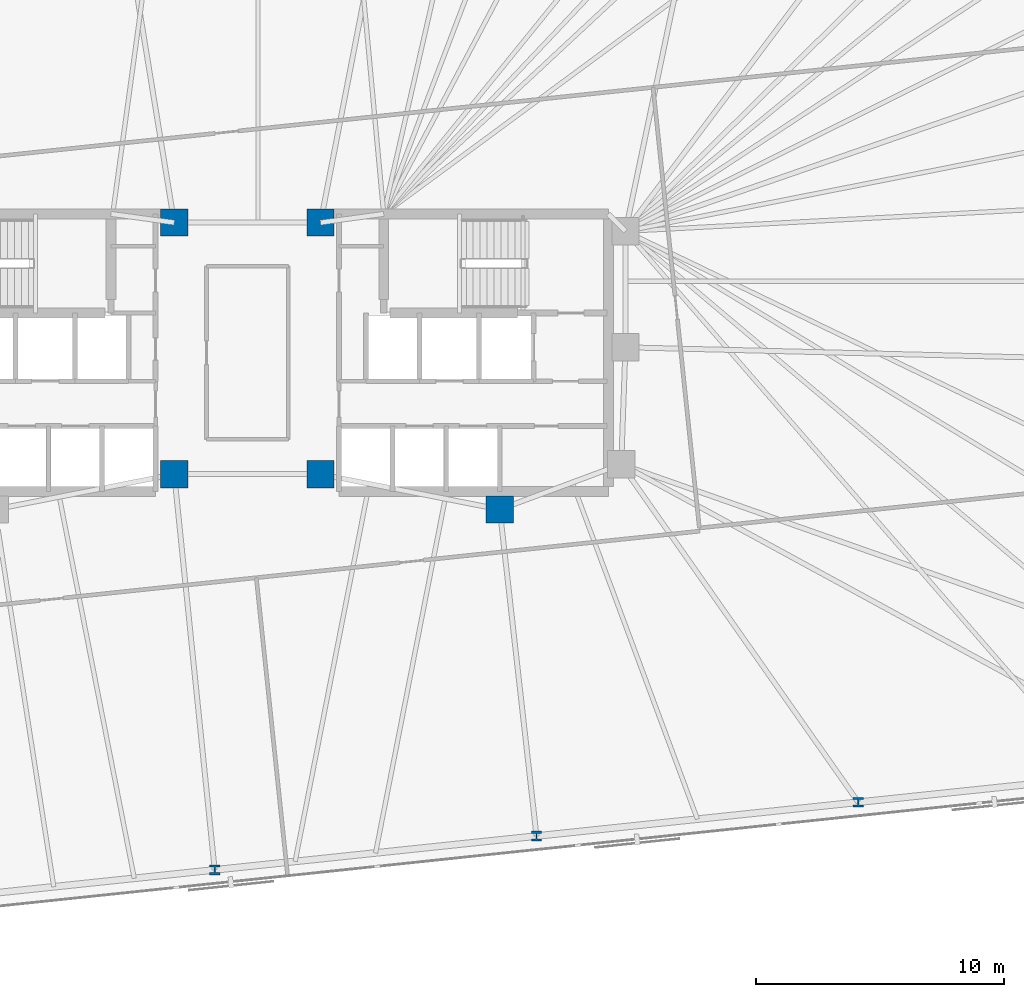
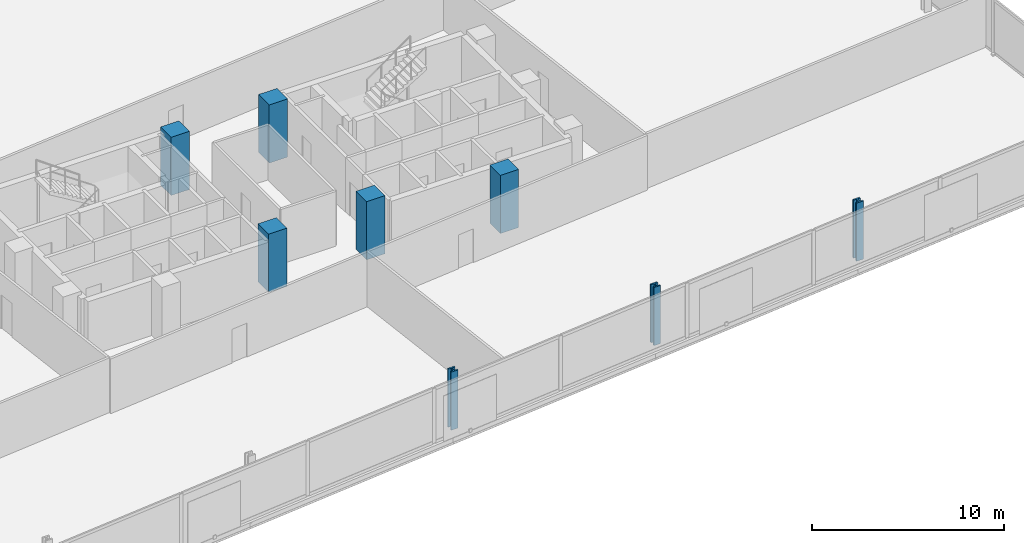
# One storey, part 3 of 17: 8 columns.
"""IFC4 building model written with IfcOpenShell, lengths in metres."""

import ifcopenshell
import ifcopenshell.guid

model = None  # the IFC model being written
_history = None  # IfcOwnerHistory: only IFC2X3 demands one
_inside = {}  # id of a spatial element -> (the spatial element, [elements in it])
_under = {}  # id of a project, library or spatial element -> (it, [spatial elements below it])
_declared = {}  # id of a project -> (the project, [libraries it declares])
_typed = {}  # id of a type object -> (the type object, [elements of that type])
_made_of = {}  # id of a material, layer set ... -> (it, [elements and type objects made of it])


def new_model(schema):
    """Start an empty IFC model of exactly this schema.

    Asked for "IFC4X3", IfcOpenShell would pick the latest addendum, in which some entities
    have other attributes; the version numbers below select the first issue.
    IFC2X3 requires an IfcOwnerHistory on every rooted entity: one is made here for all.
    """
    global model, _history
    if schema == "IFC4X3":
        model = ifcopenshell.file(schema_version=(4, 3, 0, 0))
    else:
        model = ifcopenshell.file(schema=schema)
    _inside.clear()
    _under.clear()
    _declared.clear()
    _typed.clear()
    _made_of.clear()
    _history = None
    if model.schema == "IFC2X3":
        org = make("IfcOrganization", Name="unknown")
        user = make(
            "IfcPersonAndOrganization",
            ThePerson=make("IfcPerson", FamilyName="unknown"),
            TheOrganization=org,
        )
        app = make(
            "IfcApplication",
            ApplicationDeveloper=org,
            Version="unknown",
            ApplicationFullName="unknown",
            ApplicationIdentifier="unknown",
        )
        _history = make(
            "IfcOwnerHistory",
            OwningUser=user,
            OwningApplication=app,
            ChangeAction="ADDED",
            CreationDate=0,
        )
    return model


def make(cls, **values):
    """One entity of the class cls with the attributes given. An attribute that is None is left unset."""
    return model.create_entity(
        cls, **{name: value for name, value in values.items() if value is not None}
    )


def rooted(cls, **values):
    """An entity with a GlobalId (a new one), such as an element, a storey or a relation."""
    return make(cls, GlobalId=ifcopenshell.guid.new(), OwnerHistory=_history, **values)


def si_unit(unit_type, name, prefix=None):
    """IfcSIUnit, for example si_unit("LENGTHUNIT", "METRE", prefix="MILLI")."""
    return make("IfcSIUnit", UnitType=unit_type, Prefix=prefix, Name=name)


def assignment(units):
    """IfcUnitAssignment: the units of a project."""
    return None if units is None else make("IfcUnitAssignment", Units=units)


def point(xyz):
    """IfcCartesianPoint."""
    return None if xyz is None else make("IfcCartesianPoint", Coordinates=xyz)


def direction(xyz):
    """IfcDirection."""
    return None if xyz is None else make("IfcDirection", DirectionRatios=xyz)


def frame(location, z_axis=None, x_axis=None):
    """IfcAxis2Placement3D, a coordinate frame: its origin and axes. An axis left out is left unset."""
    return make(
        "IfcAxis2Placement3D",
        Location=point(location),
        Axis=direction(z_axis),
        RefDirection=direction(x_axis),
    )


def frame_2d(location, x_axis=None):
    """IfcAxis2Placement2D, a coordinate frame in the plane: its origin and x axis."""
    return make(
        "IfcAxis2Placement2D", Location=point(location), RefDirection=direction(x_axis)
    )


def origin():
    """The frame at (0, 0, 0) with its axes left unset."""
    return frame((0.0, 0.0, 0.0))


def origin_2d():
    """The frame at (0, 0) in the plane with its x axis left unset."""
    return frame_2d((0.0, 0.0))


def place(relative_to, where):
    """IfcLocalPlacement: puts the frame where relative to a parent placement (None: the world)."""
    return make(
        "IfcLocalPlacement", PlacementRelTo=relative_to, RelativePlacement=where
    )


def context(
    kind, dimensions, precision=None, world=None, true_north=None, identifier=None
):
    """IfcGeometricRepresentationContext, for example the 3D "Model" context."""
    return make(
        "IfcGeometricRepresentationContext",
        ContextIdentifier=identifier,
        ContextType=kind,
        CoordinateSpaceDimension=dimensions,
        Precision=precision,
        WorldCoordinateSystem=world,
        TrueNorth=true_north,
    )


def subcontext(parent, identifier, kind, view, scale=None):
    """IfcGeometricRepresentationSubContext, for example "Body" below "Model"."""
    return make(
        "IfcGeometricRepresentationSubContext",
        ContextIdentifier=identifier,
        ContextType=kind,
        ParentContext=parent,
        TargetScale=scale,
        TargetView=view,
    )


def project(units=None, contexts=None):
    """IfcProject with its units and contexts."""
    return rooted(
        "IfcProject",
        Name="project",
        RepresentationContexts=contexts,
        UnitsInContext=assignment(units),
    )


def spatial(cls, under=None, at=None, **own):
    """A site, building, storey or space (cls), placed at a placement, below another one or the project."""
    s = rooted(cls, ObjectPlacement=at, **own)
    if under is not None:
        _under.setdefault(under.id(), (under, []))[1].append(s)
    return s


def profile(cls, at=None, kind="AREA", **sizes):
    """A parametric profile (cls). Its sizes go by their IFC names, for example OverallWidth=200.0."""
    return make(cls, ProfileType=kind, Position=at, **sizes)


def rectangle(**sizes):
    """IfcRectangleProfileDef."""
    return profile("IfcRectangleProfileDef", **sizes)


def i_section(**sizes):
    """IfcIShapeProfileDef."""
    return profile("IfcIShapeProfileDef", **sizes)


def extrude(swept, where, along, depth):
    """IfcExtrudedAreaSolid: the profile swept, set in the frame where, extruded along a direction by depth."""
    return make(
        "IfcExtrudedAreaSolid",
        SweptArea=swept,
        Position=where,
        ExtrudedDirection=direction(along),
        Depth=depth,
    )


def shape(context_of_items, identifier, shape_type, items):
    """IfcShapeRepresentation: the items that make up one representation, for example the "Body"."""
    return make(
        "IfcShapeRepresentation",
        ContextOfItems=context_of_items,
        RepresentationIdentifier=identifier,
        RepresentationType=shape_type,
        Items=items,
    )


def material(Name=None, Category=None):
    """IfcMaterial."""
    return make("IfcMaterial", Name=Name, Category=Category)


def material_profile(
    of_material, cross_section, Name=None, Category=None, Priority=None
):
    """IfcMaterialProfile: a cross section and its material."""
    return make(
        "IfcMaterialProfile",
        Name=Name,
        Material=of_material,
        Profile=cross_section,
        Priority=Priority,
        Category=Category,
    )


def profile_set(profiles, Name=None, composite=None):
    """IfcMaterialProfileSet."""
    return make(
        "IfcMaterialProfileSet",
        Name=Name,
        MaterialProfiles=profiles,
        CompositeProfile=composite,
    )


def made_of(thing, what):
    """Note that an element or type object is made of a material, layer set ...; save() writes the relation."""
    if what is not None:
        _made_of.setdefault(what.id(), (what, []))[1].append(thing)
    return thing


def type_object(cls, material=None, **own):
    """A type object (cls), such as IfcWallType, which elements share."""
    return made_of(rooted(cls, **own), material)


def element(
    cls,
    number,
    at=None,
    inside=None,
    cuts=None,
    type_object=None,
    material=None,
    context=None,
    identifier="Body",
    shape_type=None,
    held_by="IfcProductDefinitionShape",
    body=None,
    shapes=None,
    **own,
):
    """One element of the class cls, such as IfcWall. Its Tag is "e" and its number.

    at: its placement. inside: the storey or other place that contains it. cuts: it is an
    opening in that element (IfcRelVoidsElement). A single representation is given by context,
    identifier, shape_type and body (its items); several are given by shapes. held_by: the class
    of the entity that holds the representations. save() writes the other relations.
    """
    e = rooted(cls, Tag="e%d" % number, ObjectPlacement=at, **own)
    if body is not None:
        shapes = [shape(context, identifier, shape_type, body)]
    if shapes is not None:
        e.Representation = make(held_by, Representations=shapes)
    if inside is not None:
        _inside.setdefault(inside.id(), (inside, []))[1].append(e)
    if cuts is not None:
        rooted(
            "IfcRelVoidsElement", RelatingBuildingElement=cuts, RelatedOpeningElement=e
        )
    if type_object is not None:
        _typed.setdefault(type_object.id(), (type_object, []))[1].append(e)
    return made_of(e, material)


def aggregate(whole, parts):
    """IfcRelAggregates: a whole, such as a stair, and the parts it consists of."""
    return rooted("IfcRelAggregates", RelatingObject=whole, RelatedObjects=parts)


def save(model, path):
    """Write the relations noted so far, then the file.

    IfcRelAggregates (storeys below a building ...), IfcRelContainedInSpatialStructure (elements
    in a storey), IfcRelDefinesByType, IfcRelAssociatesMaterial and IfcRelDeclares: one each for
    every whole, place, type object, material and project.
    """
    for whole, parts in _under.values():
        aggregate(whole, parts)
    for where, things in _inside.values():
        rooted(
            "IfcRelContainedInSpatialStructure",
            RelatedElements=things,
            RelatingStructure=where,
        )
    for kind, things in _typed.values():
        rooted("IfcRelDefinesByType", RelatedObjects=things, RelatingType=kind)
    for what, things in _made_of.values():
        rooted("IfcRelAssociatesMaterial", RelatedObjects=things, RelatingMaterial=what)
    for by, libraries in _declared.values():
        rooted("IfcRelDeclares", RelatingContext=by, RelatedDefinitions=libraries)
    model.write(path)


model = new_model("IFC4")

# Units and contexts
model_context = context("Model", 3, precision=1e-05, world=origin(), true_north=direction((0.0, 1.0)))
body_context = subcontext(model_context, "Body", "Model", "MODEL_VIEW")
ifc_project = project(units=[si_unit("LENGTHUNIT", "METRE"), si_unit("AREAUNIT", "SQUARE_METRE"), si_unit("VOLUMEUNIT", "CUBIC_METRE"), si_unit("PLANEANGLEUNIT", "RADIAN"), si_unit("MASSUNIT", "GRAM", prefix="KILO")], contexts=[model_context])

# Site, building, storey
site_placement = place(None, origin())
site = spatial("IfcSite", under=ifc_project, at=site_placement, CompositionType="ELEMENT")
building_placement = place(site_placement, origin())
building = spatial("IfcBuilding", under=site, at=building_placement, Name="Menara Jurai Vektor", CompositionType="ELEMENT")
storey_placement = place(building_placement, frame((0.0, 0.0, 109.60009765625)))
storey = spatial("IfcBuildingStorey", under=building, at=storey_placement, Name="L27", CompositionType="ELEMENT", Elevation=109.60009765625)

# Columns
ifc_material_1 = material(Name="Concrete C50/60", Category="concrete")
ifc_material_profile_1 = material_profile(ifc_material_1, rectangle(XDim=1.10009765625, YDim=1.10009765625, at=origin_2d()), Name="RC 1100x1100")
ifc_profile_set_1 = profile_set([ifc_material_profile_1], Name="Concrete C50/60")
column_type_1 = type_object("IfcColumnType", Name="STR-COL-RC1100", PredefinedType="COLUMN", material=ifc_profile_set_1)
for number, where, z_axis, x_axis, name in (
    (1, (-2.949951171875, -4.89990234375, 0.0), (0.0, 0.0, 1.0), (1.0, 0.0, 0.0), "Core Spine Column CW-SE L27"),
    (2, (-2.949951171875, 5.25, 0.0), (0.0, 0.0, 1.0), (1.0, 0.0, 0.0), "Core Spine Column CW-NE L27"),
    (3, (10.179931640625, -6.320068359375, 0.0), (0.0, 0.0, 1.0), (1.0, 0.0, 0.0), "Core Spine Column CE-SM L27"),
    (4, (2.949951171875, -4.89990234375, 0.0), (0.0, 0.0, 1.0), (1.0, 0.0, 0.0), "Core Spine Column CE-SW L27"),
    (5, (2.949951171875, 5.25, 0.0), (0.0, 0.0, 1.0), (1.0, 0.0, 0.0), "Core Spine Column CE-NW L27"),
):
    element("IfcColumn", number, at=place(storey_placement, frame(where, z_axis=z_axis, x_axis=x_axis)), inside=storey, type_object=column_type_1, Name=name, PredefinedType="COLUMN", context=body_context, shape_type="SweptSolid", body=[
        extrude(rectangle(XDim=1.10009765625, YDim=1.10009765625, at=origin_2d()), origin(), (0.0, 0.0, 1.0), 3.699951171875),
    ])
ifc_material_2 = material(Name="Steel S460", Category="steel")
ifc_material_profile_2 = material_profile(ifc_material_2, i_section(OverallWidth=0.4130859375, OverallDepth=0.39794921875, WebThickness=0.055908203125, FlangeThickness=0.089111328125, FilletRadius=0.014892578125, at=origin_2d()), Name="HD 400x744")
ifc_profile_set_2 = profile_set([ifc_material_profile_2], Name="Steel S460")
column_type_2 = type_object("IfcColumnType", Name="STR-EXO-BLK2", PredefinedType="COLUMN", material=ifc_profile_set_2)
for number, where, z_axis, x_axis, name in (
    (6, (-1.317138671875, -20.857666015625, 0.0), (0.0, 0.0, 1.0), (1.0, 0.0, 0.0), "Exoskeleton Column BLK2-S3 L27"),
    (7, (11.66259765625, -19.49365234375, 0.0), (0.0, 0.0, 1.0), (1.0, 0.0, 0.0), "Exoskeleton Column BLK2-S4 L27"),
    (8, (24.642333984375, -18.12939453125, 0.0), (0.0, 0.0, 1.0), (1.0, 0.0, 0.0), "Exoskeleton Column BLK2-S5 L27"),
):
    element("IfcColumn", number, at=place(storey_placement, frame(where, z_axis=z_axis, x_axis=x_axis)), inside=storey, type_object=column_type_2, Name=name, PredefinedType="COLUMN", context=body_context, shape_type="SweptSolid", body=[
        extrude(i_section(OverallWidth=0.4130859375, OverallDepth=0.39794921875, WebThickness=0.055908203125, FlangeThickness=0.089111328125, FilletRadius=0.014892578125, at=origin_2d()), origin(), (0.0, 0.0, 1.0), 3.699951171875),
    ])

save(model, "model.ifc")
